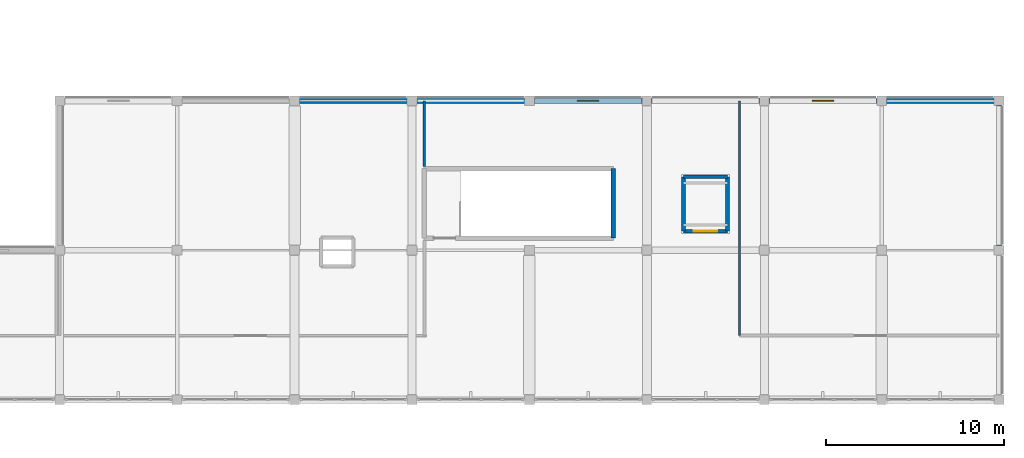
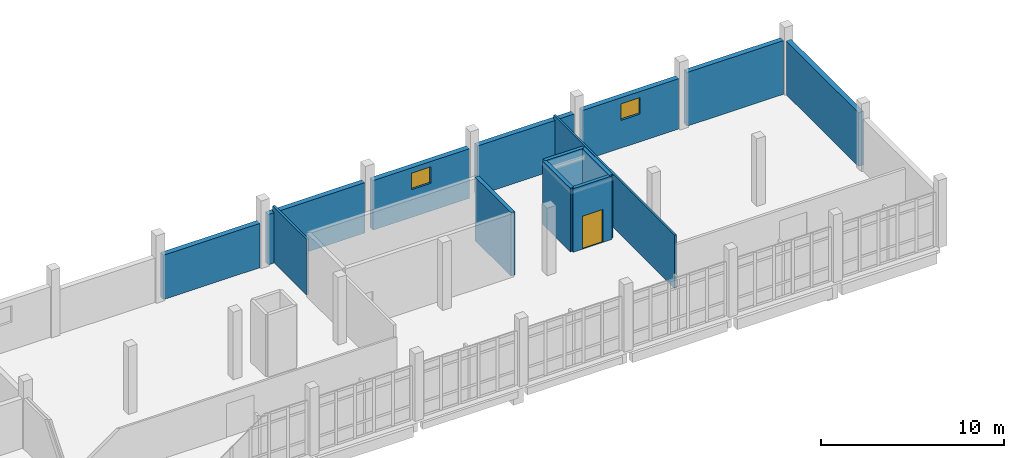
# One storey, part 120 of 134: 14 walls, 2 windows, 1 door, 3 openings.
"""IFC4 building model written with IfcOpenShell, lengths in metres."""

from ifc_helpers import new_model, si_unit, direction, frame, frame_2d, origin, place, context, subcontext, project, spatial, rectangle, extrude, material, layer, layer_set, type_object, element, fill, save


model = new_model("IFC4")

# Units and contexts
model_context = context("Model", 3, precision=1e-05, world=origin(), true_north=direction((0.0, 1.0)))
body_context = subcontext(model_context, "Body", "Model", "MODEL_VIEW")
ifc_project = project(units=[si_unit("LENGTHUNIT", "METRE"), si_unit("AREAUNIT", "SQUARE_METRE"), si_unit("VOLUMEUNIT", "CUBIC_METRE"), si_unit("PLANEANGLEUNIT", "RADIAN"), si_unit("MASSUNIT", "GRAM", prefix="KILO")], contexts=[model_context])

# Site, building, storey
site_placement = place(None, origin())
site = spatial("IfcSite", under=ifc_project, at=site_placement, CompositionType="ELEMENT")
building_placement = place(site_placement, origin())
building = spatial("IfcBuilding", under=site, at=building_placement, Name="Kalluvel Institute of Natural Sciences", CompositionType="ELEMENT")
storey_placement = place(building_placement, frame((0.0, 0.0, 5.39990234375)))
storey = spatial("IfcBuildingStorey", under=building, at=storey_placement, Name="L01", CompositionType="ELEMENT", Elevation=5.39990234375)

# Walls
ifc_material_1 = material(Name="Concrete M40", Category="concrete")
ifc_layer_1 = layer(ifc_material_1, 0.25)
ifc_layer_set_1 = layer_set([ifc_layer_1], Name="Concrete M40")
wall_type_1 = type_object("IfcWallType", Name="WL-CORE-250", PredefinedType="SHEAR", material=ifc_layer_set_1)
wall_1_placement = place(storey_placement, frame((160.31494140625, 111.885009765625, 0.0), z_axis=(0.0, 0.0, 1.0), x_axis=(0.0, 1.0, 0.0)))
element("IfcWall", 1, at=wall_1_placement, inside=storey, type_object=wall_type_1, Name="ST5 L01 core wall E", PredefinedType="SHEAR", context=body_context, shape_type="SweptSolid", body=[
    extrude(rectangle(XDim=3.89990234375, YDim=0.25, at=frame_2d((1.949951171875, 0.0))), origin(), (0.0, 0.0, 1.0), 4.235107421875),
])
ifc_material_2 = material(Name="Sadarahalli Grey Granite Ashlar Concrete M40", Category="masonry")
ifc_layer_2 = layer(ifc_material_2, 0.320068359375)
ifc_layer_set_2 = layer_set([ifc_layer_2], Name="Sadarahalli Grey Granite Ashlar Concrete M40")
wall_type_2 = type_object("IfcWallType", Name="WL-EXT-320", PredefinedType="SOLIDWALL", material=ifc_layer_set_2)
wall_2_placement = place(storey_placement, frame((142.655029296875, 119.60009765625, 0.0), z_axis=(0.0, 0.0, 1.0), x_axis=(1.0, 0.0, 0.0)))
element("IfcWall", 2, at=wall_2_placement, inside=storey, type_object=wall_type_2, Name="L01 Sadarahalli granite exterior wall WL-EXT-L01-0255", PredefinedType="SOLIDWALL", context=body_context, shape_type="SweptSolid", body=[
    extrude(rectangle(XDim=6.090087890625, YDim=0.320068359375, at=frame_2d((3.044921875, 0.0))), origin(), (0.0, 0.0, 1.0), 2.955078125),
])
wall_3_placement = place(storey_placement, frame((149.2548828125, 119.60009765625, 0.0), z_axis=(0.0, 0.0, 1.0), x_axis=(1.0, 0.0, 0.0)))
element("IfcWall", 3, at=wall_3_placement, inside=storey, type_object=wall_type_2, Name="L01 Sadarahalli granite exterior wall WL-EXT-L01-0256", PredefinedType="SOLIDWALL", context=body_context, shape_type="SweptSolid", body=[
    extrude(rectangle(XDim=6.090087890625, YDim=0.320068359375, at=frame_2d((3.044921875, 0.0))), origin(), (0.0, 0.0, 1.0), 3.35498046875),
])

# Wall, opening, window
wall_4_placement = place(storey_placement, frame((155.85498046875, 119.60009765625, 0.0), z_axis=(0.0, 0.0, 1.0), x_axis=(1.0, 0.0, 0.0)))
wall_4 = element("IfcWall", 4, at=wall_4_placement, inside=storey, type_object=wall_type_2, Name="L01 Sadarahalli granite exterior wall WL-EXT-L01-0257", PredefinedType="SOLIDWALL", context=body_context, shape_type="SweptSolid", body=[
    extrude(rectangle(XDim=6.090087890625, YDim=0.320068359375, at=frame_2d((3.044921875, 0.0))), origin(), (0.0, 0.0, 1.0), 3.30517578125),
])
opening_1_placement = place(wall_4_placement, frame((2.445068359375, 0.0, 1.85009765625)))
opening_1 = element("IfcOpeningElement", 5, at=opening_1_placement, cuts=wall_4, Name="Opening W-11", PredefinedType="OPENING", context=body_context, shape_type="SweptSolid", body=[
    extrude(rectangle(XDim=1.199951171875, YDim=1.10009765625, at=frame_2d((0.60009765625, 0.550048828125))), frame((0.0, 0.169921875, 0.0), z_axis=(0.0, -1.0, 0.0), x_axis=(1.0, 0.0, 0.0)), (0.0, 0.0, 1.0), 0.340087890625),
])
ifc_material_3 = material(Name="Solar-Control Low-E Laminated Glass", Category="glass")
window_type = type_object("IfcWindowType", Name="WN-HIGH-120x110", PartitioningType="SINGLE_PANEL", PredefinedType="WINDOW", material=ifc_material_3)
window_1_placement = place(opening_1_placement, origin())
window_1 = element("IfcWindow", 6, at=window_1_placement, inside=storey, type_object=window_type, Name="L01 Gothic lancet window 54", OverallHeight=1.10009765625, OverallWidth=1.199951171875, PartitioningType="SINGLE_PANEL", PredefinedType="WINDOW", context=body_context, shape_type="SweptSolid", body=[
    extrude(rectangle(XDim=1.199951171875, YDim=1.10009765625, at=frame_2d((0.60009765625, 0.550048828125))), frame((0.0, 0.030029296875, 0.0), z_axis=(0.0, -1.0, 0.0), x_axis=(1.0, 0.0, 0.0)), (0.0, 0.0, 1.0), 0.06005859375),
])
fill(opening_1, window_1)

# Wall
wall_5_placement = place(storey_placement, frame((162.455078125, 119.60009765625, 0.0), z_axis=(0.0, 0.0, 1.0), x_axis=(1.0, 0.0, 0.0)))
element("IfcWall", 7, at=wall_5_placement, inside=storey, type_object=wall_type_2, Name="L01 Sadarahalli granite exterior wall WL-EXT-L01-0258", PredefinedType="SOLIDWALL", context=body_context, shape_type="SweptSolid", body=[
    extrude(rectangle(XDim=6.08984375, YDim=0.320068359375, at=frame_2d((3.044921875, 0.0))), origin(), (0.0, 0.0, 1.0), 3.30517578125),
])

# Wall, opening, window
wall_6_placement = place(storey_placement, frame((169.054931640625, 119.60009765625, 0.0), z_axis=(0.0, 0.0, 1.0), x_axis=(1.0, 0.0, 0.0)))
wall_6 = element("IfcWall", 8, at=wall_6_placement, inside=storey, type_object=wall_type_2, Name="L01 Sadarahalli granite exterior wall WL-EXT-L01-0259", PredefinedType="SOLIDWALL", context=body_context, shape_type="SweptSolid", body=[
    extrude(rectangle(XDim=6.090087890625, YDim=0.320068359375, at=frame_2d((3.044921875, 0.0))), origin(), (0.0, 0.0, 1.0), 3.35498046875),
])
opening_2_placement = place(wall_6_placement, frame((2.445068359375, 0.0, 1.85009765625)))
opening_2 = element("IfcOpeningElement", 9, at=opening_2_placement, cuts=wall_6, Name="Opening W-11", PredefinedType="OPENING", context=body_context, shape_type="SweptSolid", body=[
    extrude(rectangle(XDim=1.199951171875, YDim=1.10009765625, at=frame_2d((0.60009765625, 0.550048828125))), frame((0.0, 0.169921875, 0.0), z_axis=(0.0, -1.0, 0.0), x_axis=(1.0, 0.0, 0.0)), (0.0, 0.0, 1.0), 0.340087890625),
])
window_2_placement = place(opening_2_placement, origin())
window_2 = element("IfcWindow", 10, at=window_2_placement, inside=storey, type_object=window_type, Name="L01 Gothic lancet window 55", OverallHeight=1.10009765625, OverallWidth=1.199951171875, PartitioningType="SINGLE_PANEL", PredefinedType="WINDOW", context=body_context, shape_type="SweptSolid", body=[
    extrude(rectangle(XDim=1.199951171875, YDim=1.10009765625, at=frame_2d((0.60009765625, 0.550048828125))), frame((0.0, 0.030029296875, 0.0), z_axis=(0.0, -1.0, 0.0), x_axis=(1.0, 0.0, 0.0)), (0.0, 0.0, 1.0), 0.06005859375),
])
fill(opening_2, window_2)

# Walls
wall_7_placement = place(storey_placement, frame((175.655029296875, 119.60009765625, 0.0), z_axis=(0.0, 0.0, 1.0), x_axis=(1.0, 0.0, 0.0)))
element("IfcWall", 11, at=wall_7_placement, inside=storey, type_object=wall_type_2, Name="L01 Sadarahalli granite exterior wall WL-EXT-L01-0260", PredefinedType="SOLIDWALL", context=body_context, shape_type="SweptSolid", body=[
    extrude(rectangle(XDim=6.090087890625, YDim=0.320068359375, at=frame_2d((3.044921875, 0.0))), origin(), (0.0, 0.0, 1.0), 3.580078125),
])
wall_8_placement = place(storey_placement, frame((182.0, 111.455078125, 0.0), z_axis=(0.0, 0.0, 1.0), x_axis=(0.0, 1.0, 0.0)))
element("IfcWall", 12, at=wall_8_placement, inside=storey, type_object=wall_type_2, Name="L01 Sadarahalli granite exterior wall WL-EXT-L01-0262", PredefinedType="SOLIDWALL", context=body_context, shape_type="SweptSolid", body=[
    extrude(rectangle(XDim=7.889892578125, YDim=0.320068359375, at=frame_2d((3.94482421875, 0.0))), origin(), (0.0, 0.0, 1.0), 3.580078125),
])
ifc_material_4 = material(Name="Acoustic Gypsum Twin-Stud Partition", Category="gypsum")
ifc_layer_3 = layer(ifc_material_4, 0.1201171875)
ifc_layer_set_3 = layer_set([ifc_layer_3], Name="Acoustic Gypsum Twin-Stud Partition")
wall_type_3 = type_object("IfcWallType", Name="WL-PART-120", PredefinedType="PARTITIONING", material=ifc_layer_set_3)
wall_9_placement = place(storey_placement, frame((167.39990234375, 106.39990234375, 0.0), z_axis=(0.0, 0.0, 1.0), x_axis=(0.0, 1.0, 0.0)))
element("IfcWall", 13, at=wall_9_placement, inside=storey, type_object=wall_type_3, Name="L01 interior partition wall WL-INT-L01-0122", PredefinedType="PARTITIONING", context=body_context, shape_type="SweptSolid", body=[
    extrude(rectangle(XDim=13.2001953125, YDim=0.1201171875, at=frame_2d((6.60009765625, 0.0))), origin(), (0.0, 0.0, 1.0), 3.56005859375),
])
ifc_layer_4 = layer(ifc_material_4, 0.139892578125)
ifc_layer_set_4 = layer_set([ifc_layer_4], Name="Acoustic Gypsum Twin-Stud Partition")
wall_type_4 = type_object("IfcWallType", Name="WL-PART-140", PredefinedType="PARTITIONING", material=ifc_layer_set_4)
wall_10_placement = place(storey_placement, frame((149.699951171875, 115.919921875, 0.0), z_axis=(0.0, 0.0, 1.0), x_axis=(0.0, 1.0, 0.0)))
element("IfcWall", 14, at=wall_10_placement, inside=storey, type_object=wall_type_4, Name="L01 interior partition wall WL-INT-L01-0121", PredefinedType="PARTITIONING", context=body_context, shape_type="SweptSolid", body=[
    extrude(rectangle(XDim=3.68017578125, YDim=0.139892578125, at=frame_2d((1.840087890625, 0.0))), origin(), (0.0, 0.0, 1.0), 3.710205078125),
])

# Wall, opening, door
ifc_layer_5 = layer(ifc_material_1, 0.219970703125)
ifc_layer_set_5 = layer_set([ifc_layer_5], Name="Concrete M40")
wall_type_5 = type_object("IfcWallType", Name="WL-SHAFT-220", PredefinedType="SHEAR", material=ifc_layer_set_5)
wall_11_placement = place(storey_placement, frame((164.27001953125, 112.27001953125, 0.0), z_axis=(0.0, 0.0, 1.0), x_axis=(1.0, 0.0, 0.0)))
wall_11 = element("IfcWall", 15, at=wall_11_placement, inside=storey, type_object=wall_type_5, Name="LF5 L01 lift shaft wall", PredefinedType="SHEAR", context=body_context, shape_type="SweptSolid", body=[
    extrude(rectangle(XDim=2.4599609375, YDim=0.219970703125, at=frame_2d((1.22998046875, 0.0))), origin(), (0.0, 0.0, 1.0), 4.235107421875),
])
opening_3_placement = place(wall_11_placement, frame((0.580078125, 0.0, 0.0)))
opening_3 = element("IfcOpeningElement", 16, at=opening_3_placement, cuts=wall_11, Name="Opening LD-042", PredefinedType="OPENING", context=body_context, shape_type="SweptSolid", body=[
    extrude(rectangle(XDim=1.300048828125, YDim=2.199951171875, at=frame_2d((0.64990234375, 1.10009765625))), frame((0.0, 0.119873046875, 0.0), z_axis=(0.0, -1.0, 0.0), x_axis=(1.0, 0.0, 0.0)), (0.0, 0.0, 1.0), 0.239990234375),
])
ifc_material_5 = material(Name="Galvanized Fire-Rated Steel", Category="steel")
door_type = type_object("IfcDoorType", Name="DR-LD-1300", OperationType="NOTDEFINED", PredefinedType="DOOR", material=ifc_material_5)
door_placement = place(opening_3_placement, origin())
door = element("IfcDoor", 17, at=door_placement, inside=storey, type_object=door_type, Name="LF5 L01 sliding lift landing door LD-042", OperationType="DOUBLE_DOOR_SLIDING", OverallHeight=2.199951171875, OverallWidth=1.300048828125, PredefinedType="DOOR", context=body_context, shape_type="SweptSolid", body=[
    extrude(rectangle(XDim=1.300048828125, YDim=2.199951171875, at=frame_2d((0.64990234375, 1.10009765625))), frame((0.0, 0.02490234375, 0.0), z_axis=(0.0, -1.0, 0.0), x_axis=(1.0, 0.0, 0.0)), (0.0, 0.0, 1.0), 0.050048828125),
])
fill(opening_3, door)

# Walls
wall_12_placement = place(storey_placement, frame((166.72998046875, 112.27001953125, 0.0), z_axis=(0.0, 0.0, 1.0), x_axis=(0.0, 1.0, 0.0)))
element("IfcWall", 18, at=wall_12_placement, inside=storey, type_object=wall_type_5, Name="LF5 L01 lift shaft wall", PredefinedType="SHEAR", context=body_context, shape_type="SweptSolid", body=[
    extrude(rectangle(XDim=3.06005859375, YDim=0.219970703125, at=frame_2d((1.530029296875, 0.0))), origin(), (0.0, 0.0, 1.0), 4.235107421875),
])
wall_13_placement = place(storey_placement, frame((166.72998046875, 115.330078125, 0.0), z_axis=(0.0, 0.0, 1.0), x_axis=(-1.0, 0.0, 0.0)))
element("IfcWall", 19, at=wall_13_placement, inside=storey, type_object=wall_type_5, Name="LF5 L01 lift shaft wall", PredefinedType="SHEAR", context=body_context, shape_type="SweptSolid", body=[
    extrude(rectangle(XDim=2.4599609375, YDim=0.219970703125, at=frame_2d((1.22998046875, 0.0))), origin(), (0.0, 0.0, 1.0), 4.235107421875),
])
wall_14_placement = place(storey_placement, frame((164.27001953125, 115.330078125, 0.0), z_axis=(0.0, 0.0, 1.0), x_axis=(0.0, -1.0, 0.0)))
element("IfcWall", 20, at=wall_14_placement, inside=storey, type_object=wall_type_5, Name="LF5 L01 lift shaft wall", PredefinedType="SHEAR", context=body_context, shape_type="SweptSolid", body=[
    extrude(rectangle(XDim=3.06005859375, YDim=0.219970703125, at=frame_2d((1.530029296875, 0.0))), origin(), (0.0, 0.0, 1.0), 4.235107421875),
])

save(model, "model.ifc")
